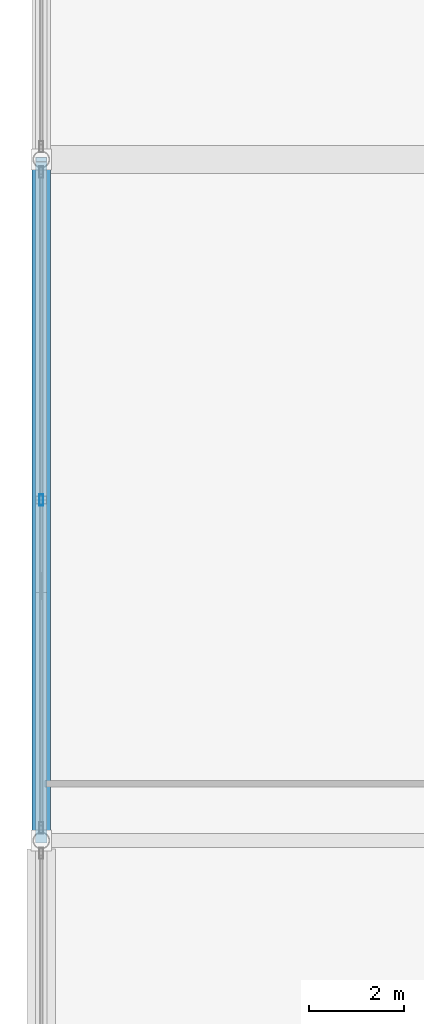
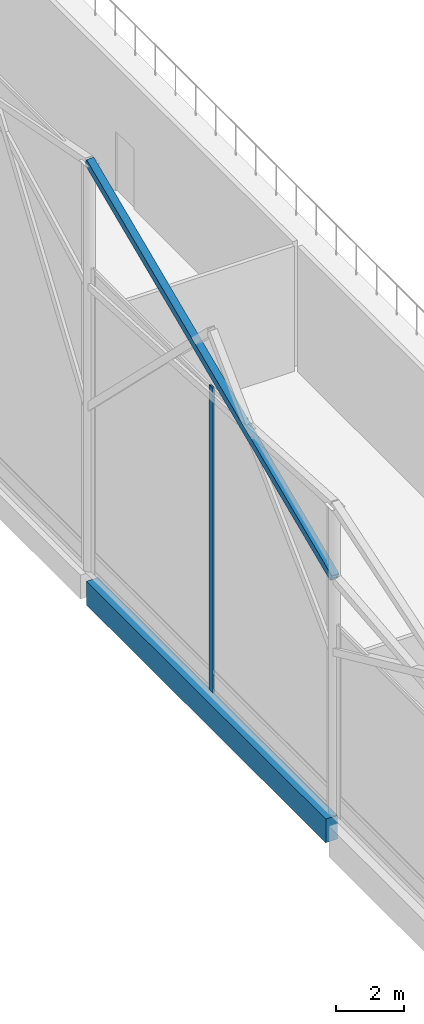
# One storey, part 50 of 220: 2 members, 1 beam, 1 element without a shape of its own.
"""IFC4 building model written with IfcOpenShell, lengths in metres."""

from ifc_helpers import new_model, si_unit, direction, frame, origin, origin_2d, place, context, subcontext, project, spatial, rectangle, hollow_rectangle, extrude, material, material_profile, profile_set, type_object, element, aggregate, save


model = new_model("IFC4")

# Units and contexts
model_context = context("Model", 3, precision=1e-05, world=origin(), true_north=direction((0.0, 1.0)))
body_context = subcontext(model_context, "Body", "Model", "MODEL_VIEW")
ifc_project = project(units=[si_unit("LENGTHUNIT", "METRE"), si_unit("AREAUNIT", "SQUARE_METRE"), si_unit("VOLUMEUNIT", "CUBIC_METRE"), si_unit("PLANEANGLEUNIT", "RADIAN"), si_unit("MASSUNIT", "GRAM", prefix="KILO")], contexts=[model_context])

# Site, building, storey
site_placement = place(None, origin())
site = spatial("IfcSite", under=ifc_project, at=site_placement, CompositionType="ELEMENT")
building_placement = place(site_placement, origin())
building = spatial("IfcBuilding", under=site, at=building_placement, Name="Cendralis Lancet Convention Centre", CompositionType="ELEMENT")
storey_placement = place(building_placement, frame((0.0, 0.0, 5.39990234375)))
storey = spatial("IfcBuildingStorey", under=building, at=storey_placement, Name="L01", CompositionType="ELEMENT", Elevation=5.39990234375)

# Curtain wall, member
ifc_material_1 = material(Name="Anodised bronze architectural aluminium", Category="aluminium")
curtain_wall_type = type_object("IfcCurtainWallType", Name="ARC-CW-GB02", PredefinedType="USERDEFINED", material=ifc_material_1)
curtain_wall_placement = place(storey_placement, origin())
curtain_wall = element("IfcCurtainWall", 1, at=curtain_wall_placement, inside=storey, type_object=curtain_wall_type, Name="L01 Curtain Wall CW-GB2 #100", ObjectType="CURTAIN WALL", PredefinedType="USERDEFINED")
ifc_material_profile_1 = material_profile(ifc_material_1, hollow_rectangle(XDim=0.080078125, YDim=0.239990234375, WallThickness=0.0048828125, at=origin_2d()), Name="AL-MULL 80x240x5.0")
ifc_profile_set_1 = profile_set([ifc_material_profile_1], Name="Anodised bronze architectural aluminium")
member_type_1 = type_object("IfcMemberType", Name="ARC-CW-ML03", PredefinedType="MULLION", material=ifc_profile_set_1)
member_1_placement = place(storey_placement, frame((0.0, 72.0, 0.0), z_axis=(0.0, 0.0, 1.0), x_axis=(1.0, 0.0, 0.0)))
member_1 = element("IfcMember", 2, at=member_1_placement, type_object=member_type_1, Name="Mullion CW2-CW-GB2-L01-100-M1", PredefinedType="MULLION", context=body_context, shape_type="SweptSolid", body=[
    extrude(hollow_rectangle(XDim=0.080078125, YDim=0.239990234375, WallThickness=0.0048828125, at=origin_2d()), origin(), (0.0, 0.0, 1.0), 10.901123046875),
])
aggregate(curtain_wall, [member_1])

# Member
ifc_material_2 = material(Name="Steel S355", Category="steel")
ifc_material_profile_2 = material_profile(ifc_material_2, hollow_rectangle(XDim=0.25, YDim=0.25, WallThickness=0.012451171875, at=origin_2d()), Name="SHS 250x250x12.5")
ifc_profile_set_2 = profile_set([ifc_material_profile_2], Name="Steel S355")
member_type_2 = type_object("IfcMemberType", Name="STR-BR-GB01", PredefinedType="BRACE", material=ifc_profile_set_2)
member_2_placement = place(storey_placement, frame((0.0, 64.800048828125, 8.425537109375), z_axis=(0.0, 0.918930536726, 0.394419407069), x_axis=(-1.0, 0.0, 0.0)))
element("IfcMember", 3, at=member_2_placement, inside=storey, type_object=member_type_2, Name="Exhibition Gable Gothic Ogival Tracery Rib GBR1 #008", PredefinedType="BRACE", context=body_context, shape_type="SweptSolid", body=[
    extrude(hollow_rectangle(XDim=0.25, YDim=0.25, WallThickness=0.012451171875, at=origin_2d()), origin(), (0.0, 0.0, 1.0), 15.670166015625),
])

# Beam
ifc_material_3 = material(Name="Concrete G40 (C40/50)", Category="concrete")
ifc_material_profile_3 = material_profile(ifc_material_3, rectangle(XDim=0.39990234375, YDim=0.85009765625, at=origin_2d()), Name="RCB 400x850")
ifc_profile_set_3 = profile_set([ifc_material_profile_3], Name="Concrete G40 (C40/50)")
beam_type = type_object("IfcBeamType", Name="STR-SP-SP02", PredefinedType="SPANDREL", material=ifc_profile_set_3)
beam_placement = place(storey_placement, frame((0.0, 64.977783203125, -0.704833984375), z_axis=(0.0, 1.0, 0.0), x_axis=(-1.0, 0.0, 0.0)))
element("IfcBeam", 4, at=beam_placement, inside=storey, type_object=beam_type, Name="L01 Beam SP02 #1277", PredefinedType="SPANDREL", context=body_context, shape_type="SweptSolid", body=[
    extrude(rectangle(XDim=0.39990234375, YDim=0.85009765625, at=origin_2d()), origin(), (0.0, 0.0, 1.0), 14.04443359375),
])

save(model, "model.ifc")
